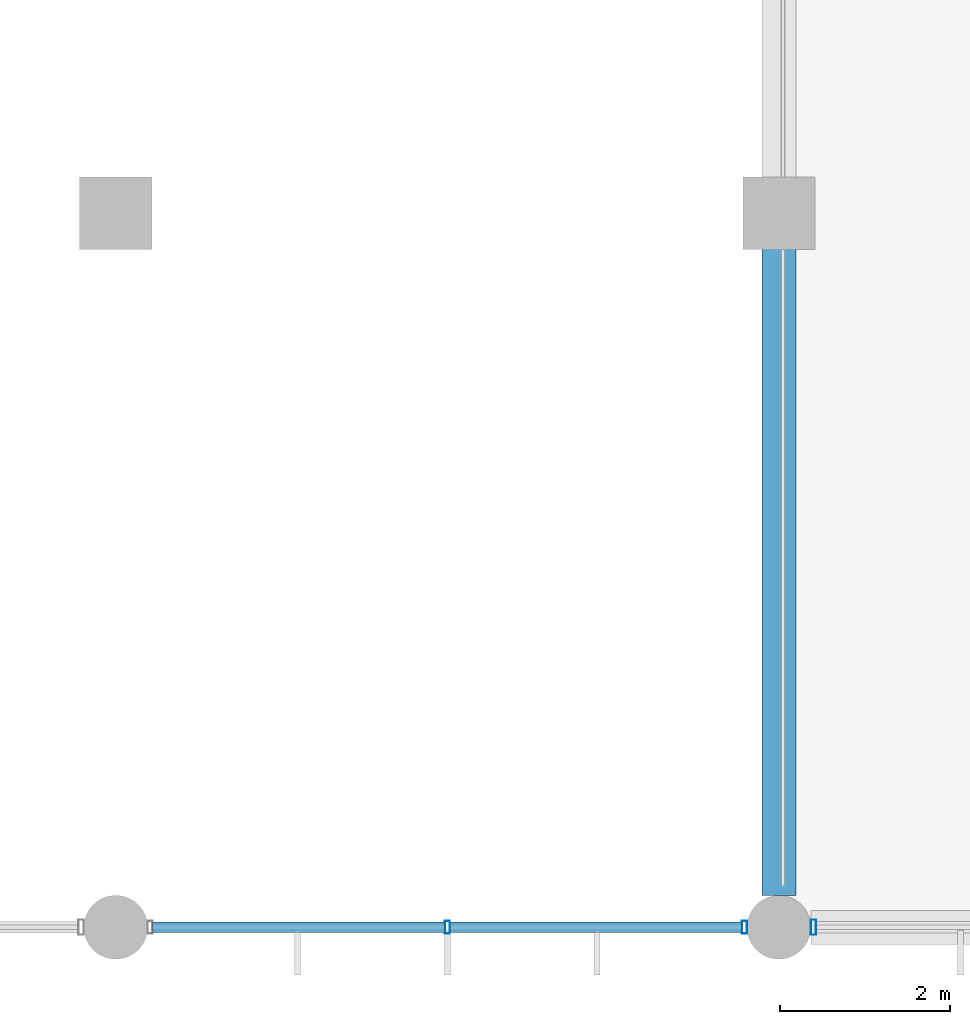
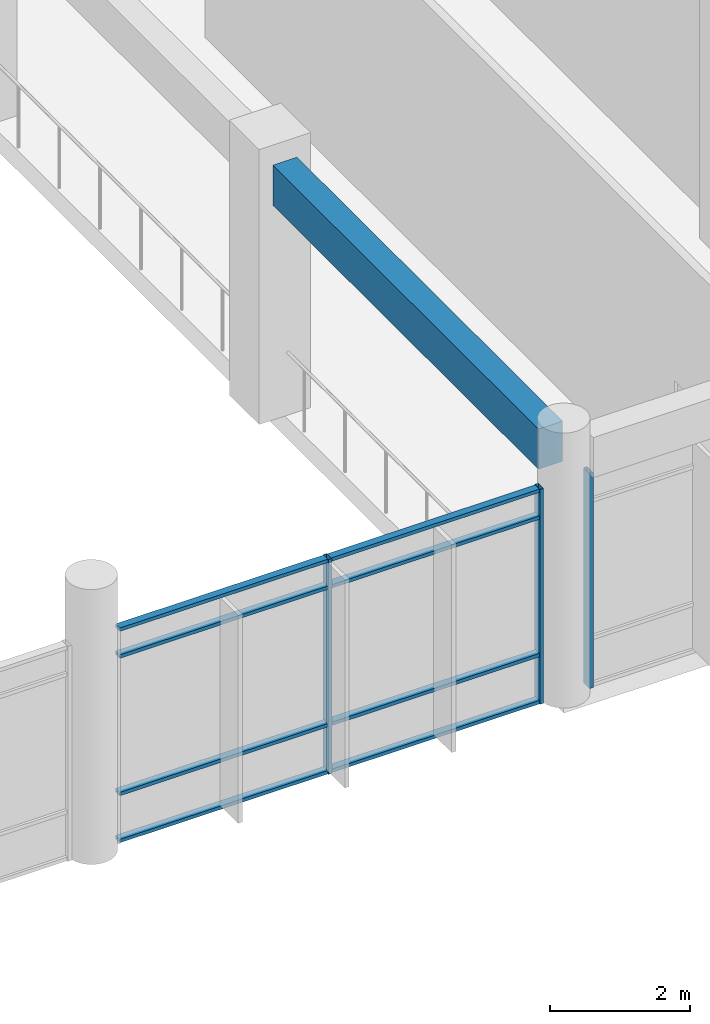
# One storey, part 13 of 79: 11 members, 1 beam, 2 elements without a shape of their own.
"""IFC4 building model written with IfcOpenShell, lengths in metres."""

from ifc_helpers import new_model, si_unit, direction, frame, origin, origin_2d, place, context, subcontext, project, spatial, rectangle, hollow_rectangle, extrude, material, material_profile, profile_set, type_object, element, aggregate, save


model = new_model("IFC4")

# Units and contexts
model_context = context("Model", 3, precision=1e-05, world=origin(), true_north=direction((0.0, 1.0)))
body_context = subcontext(model_context, "Body", "Model", "MODEL_VIEW")
ifc_project = project(units=[si_unit("LENGTHUNIT", "METRE"), si_unit("AREAUNIT", "SQUARE_METRE"), si_unit("VOLUMEUNIT", "CUBIC_METRE"), si_unit("PLANEANGLEUNIT", "RADIAN"), si_unit("MASSUNIT", "GRAM", prefix="KILO"), si_unit("THERMODYNAMICTEMPERATUREUNIT", "KELVIN"), si_unit("POWERUNIT", "WATT")], contexts=[model_context])

# Site, building, storey
site_placement = place(None, origin())
site = spatial("IfcSite", under=ifc_project, at=site_placement, CompositionType="ELEMENT")
building_placement = place(site_placement, origin())
building = spatial("IfcBuilding", under=site, at=building_placement, Name="Srebrne Nadtorze General Hospital", CompositionType="ELEMENT")
storey_placement = place(building_placement, frame((0.0, 0.0, 4.800048828125)))
storey = spatial("IfcBuildingStorey", under=building, at=storey_placement, Name="L01", CompositionType="ELEMENT", Elevation=4.800048828125)

# Curtain wall, members
ifc_material_1 = material(Name="Anodised Aluminium", Category="aluminium")
curtain_wall_type = type_object("IfcCurtainWallType", Name="Unitised curtain wall 7050x3750", PredefinedType="NOTDEFINED", material=ifc_material_1)
curtain_wall_1_placement = place(storey_placement, origin())
curtain_wall_1 = element("IfcCurtainWall", 1, at=curtain_wall_1_placement, inside=storey, type_object=curtain_wall_type, Name="Curtain wall CW-034", PredefinedType="NOTDEFINED")
ifc_material_2 = material(Name="Anodised Aluminium", Category="aluminium")
ifc_material_profile_1 = material_profile(ifc_material_2, hollow_rectangle(XDim=0.06005859375, YDim=0.14990234375, WallThickness=0.00390625, at=origin_2d()), Name="AL-MUL-60x150")
ifc_profile_set_1 = profile_set([ifc_material_profile_1], Name="Anodised Aluminium")
member_type_1 = type_object("IfcMemberType", Name="Curtain mullion 60x150", PredefinedType="MULLION", material=ifc_profile_set_1)
member_1_placement = place(storey_placement, frame((89.699951171875, 0.0, 0.0), z_axis=(0.0, 0.0, 1.0), x_axis=(1.0, 0.0, 0.0)))
member_1 = element("IfcMember", 2, at=member_1_placement, type_object=member_type_1, Name="CW-034 mullion 2", PredefinedType="MULLION", context=body_context, shape_type="SweptSolid", body=[
    extrude(hollow_rectangle(XDim=0.06005859375, YDim=0.14990234375, WallThickness=0.00390625, at=origin_2d()), origin(), (0.0, 0.0, 1.0), 3.75),
])
member_2_placement = place(storey_placement, frame((93.195068359375, 0.0, 0.0), z_axis=(0.0, 0.0, 1.0), x_axis=(1.0, 0.0, 0.0)))
member_2 = element("IfcMember", 3, at=member_2_placement, type_object=member_type_1, Name="CW-034 mullion 3", PredefinedType="MULLION", context=body_context, shape_type="SweptSolid", body=[
    extrude(hollow_rectangle(XDim=0.06005859375, YDim=0.14990234375, WallThickness=0.00390625, at=origin_2d()), origin(), (0.0, 0.0, 1.0), 3.75),
])

# Curtain wall, member
curtain_wall_2_placement = place(storey_placement, origin())
curtain_wall_2 = element("IfcCurtainWall", 4, at=curtain_wall_2_placement, inside=storey, type_object=curtain_wall_type, Name="Curtain wall CW-035", PredefinedType="NOTDEFINED")
ifc_material_3 = material(Name="Anodised Aluminium", Category="aluminium")
ifc_material_profile_2 = material_profile(ifc_material_3, hollow_rectangle(XDim=0.06494140625, YDim=0.179931640625, WallThickness=0.00390625, at=origin_2d()), Name="AL-MUL-65x180")
ifc_profile_set_2 = profile_set([ifc_material_profile_2], Name="Anodised Aluminium")
member_type_2 = type_object("IfcMemberType", Name="Curtain mullion 65x180", PredefinedType="MULLION", material=ifc_profile_set_2)
member_3_placement = place(storey_placement, frame((94.007568359375, 0.0, 0.0), z_axis=(0.0, 0.0, 1.0), x_axis=(1.0, 0.0, 0.0)))
member_3 = element("IfcMember", 5, at=member_3_placement, type_object=member_type_2, Name="CW-035 mullion 1", PredefinedType="MULLION", context=body_context, shape_type="SweptSolid", body=[
    extrude(hollow_rectangle(XDim=0.06494140625, YDim=0.179931640625, WallThickness=0.00390625, at=origin_2d()), origin(), (0.0, 0.0, 1.0), 3.75),
])
aggregate(curtain_wall_2, [member_3])

# Member
ifc_material_4 = material(Name="Anodised Aluminium", Category="aluminium")
ifc_material_profile_3 = material_profile(ifc_material_4, hollow_rectangle(XDim=0.06005859375, YDim=0.1201171875, WallThickness=0.00390625, at=origin_2d()), Name="AL-TRN-60x120")
ifc_profile_set_3 = profile_set([ifc_material_profile_3], Name="Anodised Aluminium")
member_type_3 = type_object("IfcMemberType", Name="Curtain transom 60x120", PredefinedType="USERDEFINED", material=ifc_profile_set_3)
member_4_placement = place(storey_placement, frame((86.235107421875, 0.0, 0.030029296875), z_axis=(1.0, 0.0, 0.0), x_axis=(0.0, 0.0, 1.0)))
member_4 = element("IfcMember", 6, at=member_4_placement, type_object=member_type_3, Name="CW-034 transom 1.1", ObjectType="TRANSOM", PredefinedType="USERDEFINED", context=body_context, shape_type="SweptSolid", body=[
    extrude(hollow_rectangle(XDim=0.06005859375, YDim=0.1201171875, WallThickness=0.00390625, at=origin_2d()), origin(), (0.0, 0.0, 1.0), 3.434814453125),
])

member_5_placement = place(storey_placement, frame((86.235107421875, 0.0, 0.849853515625), z_axis=(1.0, 0.0, 0.0), x_axis=(0.0, 0.0, 1.0)))
member_5 = element("IfcMember", 7, at=member_5_placement, type_object=member_type_3, Name="CW-034 transom 1.2", ObjectType="TRANSOM", PredefinedType="USERDEFINED", context=body_context, shape_type="SweptSolid", body=[
    extrude(hollow_rectangle(XDim=0.06005859375, YDim=0.1201171875, WallThickness=0.00390625, at=origin_2d()), origin(), (0.0, 0.0, 1.0), 3.434814453125),
])

member_6_placement = place(storey_placement, frame((86.235107421875, 0.0, 3.25), z_axis=(1.0, 0.0, 0.0), x_axis=(0.0, 0.0, 1.0)))
member_6 = element("IfcMember", 8, at=member_6_placement, type_object=member_type_3, Name="CW-034 transom 1.3", ObjectType="TRANSOM", PredefinedType="USERDEFINED", context=body_context, shape_type="SweptSolid", body=[
    extrude(hollow_rectangle(XDim=0.06005859375, YDim=0.1201171875, WallThickness=0.00390625, at=origin_2d()), origin(), (0.0, 0.0, 1.0), 3.434814453125),
])

member_7_placement = place(storey_placement, frame((86.235107421875, 0.0, 3.719970703125), z_axis=(1.0, 0.0, 0.0), x_axis=(0.0, 0.0, 1.0)))
member_7 = element("IfcMember", 9, at=member_7_placement, type_object=member_type_3, Name="CW-034 transom 1.4", ObjectType="TRANSOM", PredefinedType="USERDEFINED", context=body_context, shape_type="SweptSolid", body=[
    extrude(hollow_rectangle(XDim=0.06005859375, YDim=0.1201171875, WallThickness=0.00390625, at=origin_2d()), origin(), (0.0, 0.0, 1.0), 3.434814453125),
])

member_8_placement = place(storey_placement, frame((89.72998046875, 0.0, 0.030029296875), z_axis=(1.0, 0.0, 0.0), x_axis=(0.0, 0.0, 1.0)))
member_8 = element("IfcMember", 10, at=member_8_placement, type_object=member_type_3, Name="CW-034 transom 2.1", ObjectType="TRANSOM", PredefinedType="USERDEFINED", context=body_context, shape_type="SweptSolid", body=[
    extrude(hollow_rectangle(XDim=0.06005859375, YDim=0.1201171875, WallThickness=0.00390625, at=origin_2d()), origin(), (0.0, 0.0, 1.0), 3.43505859375),
])

member_9_placement = place(storey_placement, frame((89.72998046875, 0.0, 0.849853515625), z_axis=(1.0, 0.0, 0.0), x_axis=(0.0, 0.0, 1.0)))
member_9 = element("IfcMember", 11, at=member_9_placement, type_object=member_type_3, Name="CW-034 transom 2.2", ObjectType="TRANSOM", PredefinedType="USERDEFINED", context=body_context, shape_type="SweptSolid", body=[
    extrude(hollow_rectangle(XDim=0.06005859375, YDim=0.1201171875, WallThickness=0.00390625, at=origin_2d()), origin(), (0.0, 0.0, 1.0), 3.43505859375),
])

member_10_placement = place(storey_placement, frame((89.72998046875, 0.0, 3.25), z_axis=(1.0, 0.0, 0.0), x_axis=(0.0, 0.0, 1.0)))
member_10 = element("IfcMember", 12, at=member_10_placement, type_object=member_type_3, Name="CW-034 transom 2.3", ObjectType="TRANSOM", PredefinedType="USERDEFINED", context=body_context, shape_type="SweptSolid", body=[
    extrude(hollow_rectangle(XDim=0.06005859375, YDim=0.1201171875, WallThickness=0.00390625, at=origin_2d()), origin(), (0.0, 0.0, 1.0), 3.43505859375),
])

member_11_placement = place(storey_placement, frame((89.72998046875, 0.0, 3.719970703125), z_axis=(1.0, 0.0, 0.0), x_axis=(0.0, 0.0, 1.0)))
member_11 = element("IfcMember", 13, at=member_11_placement, type_object=member_type_3, Name="CW-034 transom 2.4", ObjectType="TRANSOM", PredefinedType="USERDEFINED", context=body_context, shape_type="SweptSolid", body=[
    extrude(hollow_rectangle(XDim=0.06005859375, YDim=0.1201171875, WallThickness=0.00390625, at=origin_2d()), origin(), (0.0, 0.0, 1.0), 3.43505859375),
])

aggregate(curtain_wall_1, [member_1, member_2, member_4, member_5, member_6, member_7, member_8, member_9, member_10, member_11])

# Beam
ifc_material_5 = material(Name="Concrete C40/50", Category="concrete")
ifc_material_profile_4 = material_profile(ifc_material_5, rectangle(XDim=0.39990234375, YDim=0.699951171875, at=origin_2d()), Name="RC-BM-400x700")
ifc_profile_set_4 = profile_set([ifc_material_profile_4], Name="Concrete C40/50")
beam_type = type_object("IfcBeamType", Name="Edge beam RC 400x700", PredefinedType="BEAM", material=ifc_profile_set_4)
beam_placement = place(storey_placement, frame((93.60009765625, 0.375, 4.099853515625), z_axis=(0.0, 1.0, 0.0), x_axis=(-1.0, 0.0, 0.0)))
element("IfcBeam", 14, at=beam_placement, inside=storey, type_object=beam_type, Name="Beam BM-L01-Y-0507", PredefinedType="BEAM", context=body_context, shape_type="SweptSolid", body=[
    extrude(rectangle(XDim=0.39990234375, YDim=0.699951171875, at=origin_2d()), origin(), (0.0, 0.0, 1.0), 7.60009765625),
])

save(model, "model.ifc")
